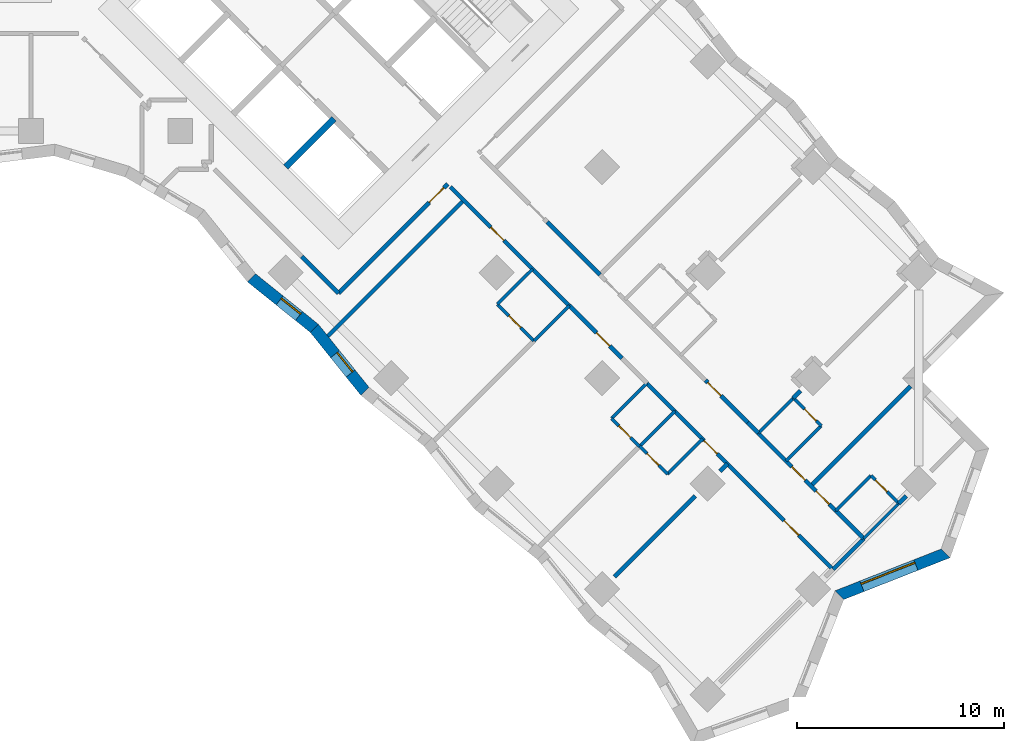
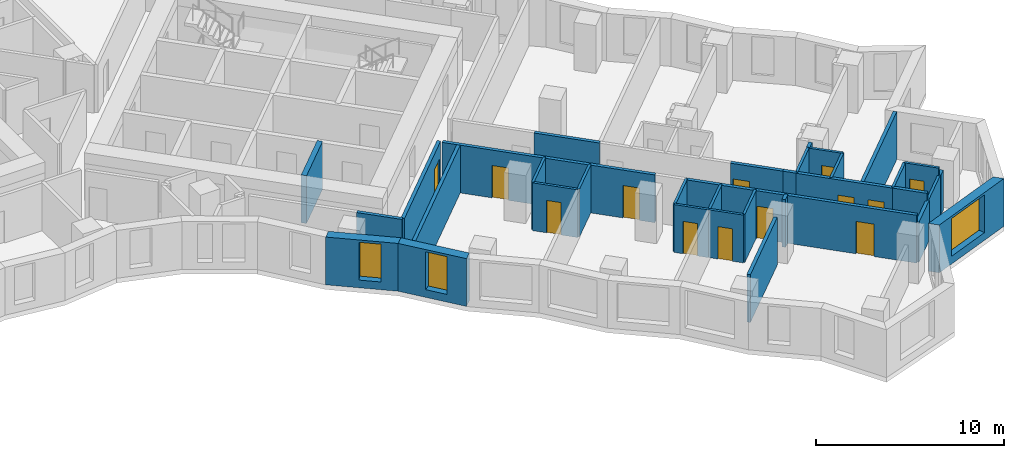
# One storey, part 8 of 13: 36 walls, 13 doors, 3 windows, 16 openings.
"""IFC4 building model written with IfcOpenShell, lengths in metres."""

import ifcopenshell
import ifcopenshell.guid

model = None  # the IFC model being written
_history = None  # IfcOwnerHistory: only IFC2X3 demands one
_inside = {}  # id of a spatial element -> (the spatial element, [elements in it])
_under = {}  # id of a project, library or spatial element -> (it, [spatial elements below it])
_declared = {}  # id of a project -> (the project, [libraries it declares])
_typed = {}  # id of a type object -> (the type object, [elements of that type])
_made_of = {}  # id of a material, layer set ... -> (it, [elements and type objects made of it])


def new_model(schema):
    """Start an empty IFC model of exactly this schema.

    Asked for "IFC4X3", IfcOpenShell would pick the latest addendum, in which some entities
    have other attributes; the version numbers below select the first issue.
    IFC2X3 requires an IfcOwnerHistory on every rooted entity: one is made here for all.
    """
    global model, _history
    if schema == "IFC4X3":
        model = ifcopenshell.file(schema_version=(4, 3, 0, 0))
    else:
        model = ifcopenshell.file(schema=schema)
    _inside.clear()
    _under.clear()
    _declared.clear()
    _typed.clear()
    _made_of.clear()
    _history = None
    if model.schema == "IFC2X3":
        org = make("IfcOrganization", Name="unknown")
        user = make(
            "IfcPersonAndOrganization",
            ThePerson=make("IfcPerson", FamilyName="unknown"),
            TheOrganization=org,
        )
        app = make(
            "IfcApplication",
            ApplicationDeveloper=org,
            Version="unknown",
            ApplicationFullName="unknown",
            ApplicationIdentifier="unknown",
        )
        _history = make(
            "IfcOwnerHistory",
            OwningUser=user,
            OwningApplication=app,
            ChangeAction="ADDED",
            CreationDate=0,
        )
    return model


def make(cls, **values):
    """One entity of the class cls with the attributes given. An attribute that is None is left unset."""
    return model.create_entity(
        cls, **{name: value for name, value in values.items() if value is not None}
    )


def rooted(cls, **values):
    """An entity with a GlobalId (a new one), such as an element, a storey or a relation."""
    return make(cls, GlobalId=ifcopenshell.guid.new(), OwnerHistory=_history, **values)


def si_unit(unit_type, name, prefix=None):
    """IfcSIUnit, for example si_unit("LENGTHUNIT", "METRE", prefix="MILLI")."""
    return make("IfcSIUnit", UnitType=unit_type, Prefix=prefix, Name=name)


def assignment(units):
    """IfcUnitAssignment: the units of a project."""
    return None if units is None else make("IfcUnitAssignment", Units=units)


def point(xyz):
    """IfcCartesianPoint."""
    return None if xyz is None else make("IfcCartesianPoint", Coordinates=xyz)


def direction(xyz):
    """IfcDirection."""
    return None if xyz is None else make("IfcDirection", DirectionRatios=xyz)


def frame(location, z_axis=None, x_axis=None):
    """IfcAxis2Placement3D, a coordinate frame: its origin and axes. An axis left out is left unset."""
    return make(
        "IfcAxis2Placement3D",
        Location=point(location),
        Axis=direction(z_axis),
        RefDirection=direction(x_axis),
    )


def frame_2d(location, x_axis=None):
    """IfcAxis2Placement2D, a coordinate frame in the plane: its origin and x axis."""
    return make(
        "IfcAxis2Placement2D", Location=point(location), RefDirection=direction(x_axis)
    )


def origin():
    """The frame at (0, 0, 0) with its axes left unset."""
    return frame((0.0, 0.0, 0.0))


def place(relative_to, where):
    """IfcLocalPlacement: puts the frame where relative to a parent placement (None: the world)."""
    return make(
        "IfcLocalPlacement", PlacementRelTo=relative_to, RelativePlacement=where
    )


def context(
    kind, dimensions, precision=None, world=None, true_north=None, identifier=None
):
    """IfcGeometricRepresentationContext, for example the 3D "Model" context."""
    return make(
        "IfcGeometricRepresentationContext",
        ContextIdentifier=identifier,
        ContextType=kind,
        CoordinateSpaceDimension=dimensions,
        Precision=precision,
        WorldCoordinateSystem=world,
        TrueNorth=true_north,
    )


def subcontext(parent, identifier, kind, view, scale=None):
    """IfcGeometricRepresentationSubContext, for example "Body" below "Model"."""
    return make(
        "IfcGeometricRepresentationSubContext",
        ContextIdentifier=identifier,
        ContextType=kind,
        ParentContext=parent,
        TargetScale=scale,
        TargetView=view,
    )


def project(units=None, contexts=None):
    """IfcProject with its units and contexts."""
    return rooted(
        "IfcProject",
        Name="project",
        RepresentationContexts=contexts,
        UnitsInContext=assignment(units),
    )


def spatial(cls, under=None, at=None, **own):
    """A site, building, storey or space (cls), placed at a placement, below another one or the project."""
    s = rooted(cls, ObjectPlacement=at, **own)
    if under is not None:
        _under.setdefault(under.id(), (under, []))[1].append(s)
    return s


def polyline(points):
    """IfcPolyline through the points."""
    return make("IfcPolyline", Points=[point(p) for p in points])


def profile(cls, at=None, kind="AREA", **sizes):
    """A parametric profile (cls). Its sizes go by their IFC names, for example OverallWidth=200.0."""
    return make(cls, ProfileType=kind, Position=at, **sizes)


def rectangle(**sizes):
    """IfcRectangleProfileDef."""
    return profile("IfcRectangleProfileDef", **sizes)


def outline(outer, holes=None, kind="AREA"):
    """IfcArbitraryClosedProfileDef: a profile drawn as a closed curve; with holes, ...WithVoids."""
    if holes is None:
        return make("IfcArbitraryClosedProfileDef", ProfileType=kind, OuterCurve=outer)
    return make(
        "IfcArbitraryProfileDefWithVoids",
        ProfileType=kind,
        OuterCurve=outer,
        InnerCurves=holes,
    )


def extrude(swept, where, along, depth):
    """IfcExtrudedAreaSolid: the profile swept, set in the frame where, extruded along a direction by depth."""
    return make(
        "IfcExtrudedAreaSolid",
        SweptArea=swept,
        Position=where,
        ExtrudedDirection=direction(along),
        Depth=depth,
    )


def shape(context_of_items, identifier, shape_type, items):
    """IfcShapeRepresentation: the items that make up one representation, for example the "Body"."""
    return make(
        "IfcShapeRepresentation",
        ContextOfItems=context_of_items,
        RepresentationIdentifier=identifier,
        RepresentationType=shape_type,
        Items=items,
    )


def material(Name=None, Category=None):
    """IfcMaterial."""
    return make("IfcMaterial", Name=Name, Category=Category)


def layer(
    of_material, thickness, ventilated=None, Name=None, Category=None, Priority=None
):
    """IfcMaterialLayer: one layer of a wall or slab, of a material (None: an air gap)."""
    return make(
        "IfcMaterialLayer",
        Material=of_material,
        LayerThickness=thickness,
        IsVentilated=ventilated,
        Name=Name,
        Category=Category,
        Priority=Priority,
    )


def layer_set(layers, Name=None):
    """IfcMaterialLayerSet."""
    return make("IfcMaterialLayerSet", MaterialLayers=layers, LayerSetName=Name)


def made_of(thing, what):
    """Note that an element or type object is made of a material, layer set ...; save() writes the relation."""
    if what is not None:
        _made_of.setdefault(what.id(), (what, []))[1].append(thing)
    return thing


def type_object(cls, material=None, **own):
    """A type object (cls), such as IfcWallType, which elements share."""
    return made_of(rooted(cls, **own), material)


def element(
    cls,
    number,
    at=None,
    inside=None,
    cuts=None,
    type_object=None,
    material=None,
    context=None,
    identifier="Body",
    shape_type=None,
    held_by="IfcProductDefinitionShape",
    body=None,
    shapes=None,
    **own,
):
    """One element of the class cls, such as IfcWall. Its Tag is "e" and its number.

    at: its placement. inside: the storey or other place that contains it. cuts: it is an
    opening in that element (IfcRelVoidsElement). A single representation is given by context,
    identifier, shape_type and body (its items); several are given by shapes. held_by: the class
    of the entity that holds the representations. save() writes the other relations.
    """
    e = rooted(cls, Tag="e%d" % number, ObjectPlacement=at, **own)
    if body is not None:
        shapes = [shape(context, identifier, shape_type, body)]
    if shapes is not None:
        e.Representation = make(held_by, Representations=shapes)
    if inside is not None:
        _inside.setdefault(inside.id(), (inside, []))[1].append(e)
    if cuts is not None:
        rooted(
            "IfcRelVoidsElement", RelatingBuildingElement=cuts, RelatedOpeningElement=e
        )
    if type_object is not None:
        _typed.setdefault(type_object.id(), (type_object, []))[1].append(e)
    return made_of(e, material)


def fill(opening, filler):
    """IfcRelFillsElement: the door or window that sits in an opening."""
    return rooted(
        "IfcRelFillsElement",
        RelatingOpeningElement=opening,
        RelatedBuildingElement=filler,
    )


def aggregate(whole, parts):
    """IfcRelAggregates: a whole, such as a stair, and the parts it consists of."""
    return rooted("IfcRelAggregates", RelatingObject=whole, RelatedObjects=parts)


def save(model, path):
    """Write the relations noted so far, then the file.

    IfcRelAggregates (storeys below a building ...), IfcRelContainedInSpatialStructure (elements
    in a storey), IfcRelDefinesByType, IfcRelAssociatesMaterial and IfcRelDeclares: one each for
    every whole, place, type object, material and project.
    """
    for whole, parts in _under.values():
        aggregate(whole, parts)
    for where, things in _inside.values():
        rooted(
            "IfcRelContainedInSpatialStructure",
            RelatedElements=things,
            RelatingStructure=where,
        )
    for kind, things in _typed.values():
        rooted("IfcRelDefinesByType", RelatedObjects=things, RelatingType=kind)
    for what, things in _made_of.values():
        rooted("IfcRelAssociatesMaterial", RelatedObjects=things, RelatingMaterial=what)
    for by, libraries in _declared.values():
        rooted("IfcRelDeclares", RelatingContext=by, RelatedDefinitions=libraries)
    model.write(path)


model = new_model("IFC4")

# Units and contexts
model_context = context("Model", 3, precision=1e-05, world=origin(), true_north=direction((0.0, 1.0)))
body_context = subcontext(model_context, "Body", "Model", "MODEL_VIEW")
ifc_project = project(units=[si_unit("LENGTHUNIT", "METRE"), si_unit("AREAUNIT", "SQUARE_METRE"), si_unit("VOLUMEUNIT", "CUBIC_METRE"), si_unit("PLANEANGLEUNIT", "RADIAN"), si_unit("MASSUNIT", "GRAM", prefix="KILO")], contexts=[model_context])

# Site, building, storey
site_placement = place(None, origin())
site = spatial("IfcSite", under=ifc_project, at=site_placement, CompositionType="ELEMENT")
building_placement = place(site_placement, origin())
building = spatial("IfcBuilding", under=site, at=building_placement, Name="Windrow Commons", CompositionType="ELEMENT")
storey_placement = place(building_placement, frame((0.0, 0.0, 40.6)))
storey = spatial("IfcBuildingStorey", under=building, at=storey_placement, Name="L10", CompositionType="ELEMENT", Elevation=40.6)

# Wall, opening, window
ifc_material_1 = material(Name="Brick masonry, red clay brick", Category="masonry")
ifc_layer_1 = layer(ifc_material_1, 0.55)
ifc_layer_set_1 = layer_set([ifc_layer_1], Name="Brick facade wall 550")
wall_type_1 = type_object("IfcWallType", Name="Brick facade wall 550", PredefinedType="SOLIDWALL", material=ifc_layer_set_1)
wall_1_placement = place(storey_placement, frame((111.0124, 20.798, 0.0), z_axis=(0.0, 0.0, 1.0), x_axis=(0.9305394819, 0.3661915791, 0.0)))
wall_1 = element("IfcWall", 1, at=wall_1_placement, inside=storey, type_object=wall_type_1, Name="Brick facade wall L10 3", PredefinedType="SOLIDWALL", context=body_context, shape_type="SweptSolid", body=[
    extrude(outline(polyline([(0.1197, -0.275), (5.6329, -0.275), (5.3827, 0.275), (-0.1197, 0.275), (0.1197, -0.275)])), origin(), (0.0, 0.0, 1.0), 3.1),
])
opening_1_placement = place(wall_1_placement, frame((1.1658, 0.0, 0.5)))
opening_1 = element("IfcOpeningElement", 2, at=opening_1_placement, cuts=wall_1, Name="Opening W1T", PredefinedType="OPENING", context=body_context, shape_type="SweptSolid", body=[
    extrude(rectangle(XDim=2.8, YDim=2.45, at=frame_2d((1.4, 1.225))), frame((0.0, 0.285, 0.0), z_axis=(0.0, -1.0, 0.0), x_axis=(1.0, 0.0, 0.0)), (0.0, 0.0, 1.0), 0.57),
])
ifc_material_2 = material(Name="Clear float glass in anodised aluminium frame", Category="aluminium")
window_type_1 = type_object("IfcWindowType", Name="Window W1T bedroom 2800x2450", PartitioningType="SINGLE_PANEL", PredefinedType="WINDOW", material=ifc_material_2)
window_1_placement = place(opening_1_placement, origin())
window_1 = element("IfcWindow", 3, at=window_1_placement, inside=storey, type_object=window_type_1, Name="Window L10 3.1", OverallHeight=2.45, OverallWidth=2.8, PartitioningType="SINGLE_PANEL", PredefinedType="WINDOW", context=body_context, shape_type="SweptSolid", body=[
    extrude(rectangle(XDim=2.8, YDim=2.45, at=frame_2d((1.4, 1.225))), frame((0.0, 0.155, 0.0), z_axis=(0.0, -1.0, 0.0), x_axis=(1.0, 0.0, 0.0)), (0.0, 0.0, 1.0), 0.06),
])
fill(opening_1, window_1)

wall_2_placement = place(storey_placement, frame((82.633, 36.1187, 0.0), z_axis=(0.0, 0.0, 1.0), x_axis=(0.7793447186, -0.6265954114, 0.0)))
wall_2 = element("IfcWall", 4, at=wall_2_placement, inside=storey, type_object=wall_type_1, Name="Brick facade wall L10 56", PredefinedType="SOLIDWALL", context=body_context, shape_type="SweptSolid", body=[
    extrude(outline(polyline([(-0.0299, -0.275), (3.868, -0.275), (3.9277, 0.275), (0.0299, 0.275), (-0.0299, -0.275)])), origin(), (0.0, 0.0, 1.0), 3.1),
])
opening_2_placement = place(wall_2_placement, frame((1.7522, 0.0, 0.5)))
opening_2 = element("IfcOpeningElement", 5, at=opening_2_placement, cuts=wall_2, Name="Opening W7D", PredefinedType="OPENING", context=body_context, shape_type="SweptSolid", body=[
    extrude(rectangle(XDim=1.2, YDim=2.45, at=frame_2d((0.6, 1.225))), frame((0.0, 0.285, 0.0), z_axis=(0.0, -1.0, 0.0), x_axis=(1.0, 0.0, 0.0)), (0.0, 0.0, 1.0), 0.57),
])
ifc_material_3 = material(Name="Clear float glass in anodised aluminium frame", Category="aluminium")
window_type_2 = type_object("IfcWindowType", Name="Window W7 notch 1200x2450", PartitioningType="SINGLE_PANEL", PredefinedType="WINDOW", material=ifc_material_3)
window_2_placement = place(opening_2_placement, origin())
window_2 = element("IfcWindow", 6, at=window_2_placement, inside=storey, type_object=window_type_2, Name="Window L10 56.1", OverallHeight=2.45, OverallWidth=1.2, PartitioningType="SINGLE_PANEL", PredefinedType="WINDOW", context=body_context, shape_type="SweptSolid", body=[
    extrude(rectangle(XDim=1.2, YDim=2.45, at=frame_2d((0.6, 1.225))), frame((0.0, 0.155, 0.0), z_axis=(0.0, -1.0, 0.0), x_axis=(1.0, 0.0, 0.0)), (0.0, 0.0, 1.0), 0.06),
])
fill(opening_2, window_2)

wall_3_placement = place(storey_placement, frame((85.6708, 33.6763, 0.0), z_axis=(0.0, 0.0, 1.0), x_axis=(0.6265954114, -0.7793447186, 0.0)))
wall_3 = element("IfcWall", 7, at=wall_3_placement, inside=storey, type_object=wall_type_1, Name="Brick facade wall L10 57", PredefinedType="SOLIDWALL", context=body_context, shape_type="SweptSolid", body=[
    extrude(outline(polyline([(0.0299, -0.275), (3.9277, -0.275), (3.868, 0.275), (-0.0299, 0.275), (0.0299, -0.275)])), origin(), (0.0, 0.0, 1.0), 3.1),
])
opening_3_placement = place(wall_3_placement, frame((1.5989, 0.0, 0.5)))
opening_3 = element("IfcOpeningElement", 8, at=opening_3_placement, cuts=wall_3, Name="Opening W7D", PredefinedType="OPENING", context=body_context, shape_type="SweptSolid", body=[
    extrude(rectangle(XDim=1.2, YDim=2.45, at=frame_2d((0.6, 1.225))), frame((0.0, 0.285, 0.0), z_axis=(0.0, -1.0, 0.0), x_axis=(1.0, 0.0, 0.0)), (0.0, 0.0, 1.0), 0.57),
])
window_3_placement = place(opening_3_placement, origin())
window_3 = element("IfcWindow", 9, at=window_3_placement, inside=storey, type_object=window_type_2, Name="Window L10 57.1", OverallHeight=2.45, OverallWidth=1.2, PartitioningType="SINGLE_PANEL", PredefinedType="WINDOW", context=body_context, shape_type="SweptSolid", body=[
    extrude(rectangle(XDim=1.2, YDim=2.45, at=frame_2d((0.6, 1.225))), frame((0.0, 0.155, 0.0), z_axis=(0.0, -1.0, 0.0), x_axis=(1.0, 0.0, 0.0)), (0.0, 0.0, 1.0), 0.06),
])
fill(opening_3, window_3)

# Wall, openings, doors
ifc_material_4 = material(Name="Blockwork partition", Category="masonry")
ifc_layer_2 = layer(ifc_material_4, 0.2)
ifc_layer_set_2 = layer_set([ifc_layer_2], Name="IW-CORRIDOR-200")
wall_type_2 = type_object("IfcWallType", Name="IW-CORRIDOR-200", PredefinedType="PARTITIONING", material=ifc_layer_set_2)
wall_4_placement = place(storey_placement, frame((103.061, 29.677, 0.0), z_axis=(0.0, 0.0, 1.0), x_axis=(0.7071067812, -0.7071067812, 0.0)))
wall_4 = element("IfcWall", 10, at=wall_4_placement, inside=storey, type_object=wall_type_2, Name="W-L10-W009", PredefinedType="PARTITIONING", context=body_context, shape_type="SweptSolid", body=[
    extrude(rectangle(XDim=10.8018, YDim=0.2, at=frame_2d((5.4009, 0.0))), origin(), (0.0, 0.0, 1.0), 3.1),
])
opening_4_placement = place(wall_4_placement, frame((2.012, 0.0, 0.0)))
opening_4 = element("IfcOpeningElement", 11, at=opening_4_placement, cuts=wall_4, Name="Opening D109S", PredefinedType="OPENING", context=body_context, shape_type="SweptSolid", body=[
    extrude(rectangle(XDim=0.9, YDim=2.1, at=frame_2d((0.45, 1.05))), frame((0.0, 0.11, 0.0), z_axis=(0.0, -1.0, 0.0), x_axis=(1.0, 0.0, 0.0)), (0.0, 0.0, 1.0), 0.22),
])
opening_5_placement = place(wall_4_placement, frame((7.4633, 0.0, 0.0)))
opening_5 = element("IfcOpeningElement", 12, at=opening_5_placement, cuts=wall_4, Name="Opening D310F", PredefinedType="OPENING", context=body_context, shape_type="SweptSolid", body=[
    extrude(rectangle(XDim=1.0, YDim=2.1, at=frame_2d((0.5, 1.05))), frame((0.0, 0.11, 0.0), z_axis=(0.0, -1.0, 0.0), x_axis=(1.0, 0.0, 0.0)), (0.0, 0.0, 1.0), 0.22),
])
ifc_material_5 = material(Name="Timber door leaf", Category="wood")
door_type_1 = type_object("IfcDoorType", Name="DT-AMENITY-1000", OperationType="SINGLE_SWING_LEFT", PredefinedType="DOOR", material=ifc_material_5)
door_1_placement = place(opening_5_placement, origin())
door_1 = element("IfcDoor", 13, at=door_1_placement, inside=storey, type_object=door_type_1, Name="D-L10-D057", OperationType="SINGLE_SWING_RIGHT", OverallHeight=2.1, OverallWidth=1.0, PredefinedType="DOOR", context=body_context, shape_type="SweptSolid", body=[
    extrude(rectangle(XDim=1.0, YDim=2.1, at=frame_2d((0.5, 1.05))), frame((0.0, 0.025, 0.0), z_axis=(0.0, -1.0, 0.0), x_axis=(1.0, 0.0, 0.0)), (0.0, 0.0, 1.0), 0.05),
])
fill(opening_5, door_1)
ifc_material_6 = material(Name="Timber door leaf", Category="wood")
door_type_2 = type_object("IfcDoorType", Name="DT-BEDROOM-900", OperationType="SINGLE_SWING_LEFT", PredefinedType="DOOR", material=ifc_material_6)
door_2_placement = place(opening_4_placement, origin())
door_2 = element("IfcDoor", 14, at=door_2_placement, inside=storey, type_object=door_type_2, Name="D-L10-D055", OperationType="SINGLE_SWING_LEFT", OverallHeight=2.1, OverallWidth=0.9, PredefinedType="DOOR", context=body_context, shape_type="SweptSolid", body=[
    extrude(rectangle(XDim=0.9, YDim=2.1, at=frame_2d((0.45, 1.05))), frame((0.0, 0.025, 0.0), z_axis=(0.0, -1.0, 0.0), x_axis=(1.0, 0.0, 0.0)), (0.0, 0.0, 1.0), 0.05),
])
fill(opening_4, door_2)

# Wall, opening, door
wall_5_placement = place(storey_placement, frame((92.243, 40.495, 0.0), z_axis=(0.0, 0.0, 1.0), x_axis=(0.7071067812, -0.7071067812, 0.0)))
wall_5 = element("IfcWall", 15, at=wall_5_placement, inside=storey, type_object=wall_type_2, Name="W-L10-W015", PredefinedType="PARTITIONING", context=body_context, shape_type="SweptSolid", body=[
    extrude(rectangle(XDim=8.1006, YDim=0.2, at=frame_2d((4.0503, 0.0))), origin(), (0.0, 0.0, 1.0), 3.1),
])
opening_6_placement = place(wall_5_placement, frame((2.7498, 0.0, 0.0)))
opening_6 = element("IfcOpeningElement", 16, at=opening_6_placement, cuts=wall_5, Name="Opening D109F", PredefinedType="OPENING", context=body_context, shape_type="SweptSolid", body=[
    extrude(rectangle(XDim=0.9, YDim=2.1, at=frame_2d((0.45, 1.05))), frame((0.0, 0.11, 0.0), z_axis=(0.0, -1.0, 0.0), x_axis=(1.0, 0.0, 0.0)), (0.0, 0.0, 1.0), 0.22),
])
door_3_placement = place(opening_6_placement, origin())
door_3 = element("IfcDoor", 17, at=door_3_placement, inside=storey, type_object=door_type_2, Name="D-L10-D051", OperationType="SINGLE_SWING_LEFT", OverallHeight=2.1, OverallWidth=0.9, PredefinedType="DOOR", context=body_context, shape_type="SweptSolid", body=[
    extrude(rectangle(XDim=0.9, YDim=2.1, at=frame_2d((0.45, 1.05))), frame((0.0, 0.025, 0.0), z_axis=(0.0, -1.0, 0.0), x_axis=(1.0, 0.0, 0.0)), (0.0, 0.0, 1.0), 0.05),
])
fill(opening_6, door_3)

wall_6_placement = place(storey_placement, frame((86.8356, 35.3724, 0.0), z_axis=(0.0, 0.0, 1.0), x_axis=(0.7071067812, 0.7071067812, 0.0)))
wall_6 = element("IfcWall", 18, at=wall_6_placement, inside=storey, type_object=wall_type_2, Name="W-L10-W016", PredefinedType="PARTITIONING", context=body_context, shape_type="SweptSolid", body=[
    extrude(rectangle(XDim=7.4501, YDim=0.2, at=frame_2d((3.725, 0.0))), origin(), (0.0, 0.0, 1.0), 3.1),
])
opening_7_placement = place(wall_6_placement, frame((6.1921, 0.0, 0.0)))
opening_7 = element("IfcOpeningElement", 19, at=opening_7_placement, cuts=wall_6, Name="Opening D310F", PredefinedType="OPENING", context=body_context, shape_type="SweptSolid", body=[
    extrude(rectangle(XDim=1.0, YDim=2.1, at=frame_2d((0.5, 1.05))), frame((0.0, 0.11, 0.0), z_axis=(0.0, -1.0, 0.0), x_axis=(1.0, 0.0, 0.0)), (0.0, 0.0, 1.0), 0.22),
])
door_4_placement = place(opening_7_placement, origin())
door_4 = element("IfcDoor", 20, at=door_4_placement, inside=storey, type_object=door_type_1, Name="D-L10-D050", OperationType="SINGLE_SWING_RIGHT", OverallHeight=2.1, OverallWidth=1.0, PredefinedType="DOOR", context=body_context, shape_type="SweptSolid", body=[
    extrude(rectangle(XDim=1.0, YDim=2.1, at=frame_2d((0.5, 1.05))), frame((0.0, 0.025, 0.0), z_axis=(0.0, -1.0, 0.0), x_axis=(1.0, 0.0, 0.0)), (0.0, 0.0, 1.0), 0.05),
])
fill(opening_7, door_4)

# Wall, openings, doors
wall_7_placement = place(storey_placement, frame((107.093, 28.615, 0.0), z_axis=(0.0, 0.0, 1.0), x_axis=(0.7072011313, -0.7070124185, 0.0)))
wall_7 = element("IfcWall", 21, at=wall_7_placement, inside=storey, type_object=wall_type_2, Name="W-L10-W038", PredefinedType="PARTITIONING", context=body_context, shape_type="SweptSolid", body=[
    extrude(rectangle(XDim=5.2991, YDim=0.2, at=frame_2d((2.6496, 0.0))), origin(), (0.0, 0.0, 1.0), 3.1),
])
opening_8_placement = place(wall_7_placement, frame((2.2988, 0.0, 0.0)))
opening_8 = element("IfcOpeningElement", 22, at=opening_8_placement, cuts=wall_7, Name="Opening D109S", PredefinedType="OPENING", context=body_context, shape_type="SweptSolid", body=[
    extrude(rectangle(XDim=0.9, YDim=2.1, at=frame_2d((0.45, 1.05))), frame((0.0, 0.11, 0.0), z_axis=(0.0, -1.0, 0.0), x_axis=(1.0, 0.0, 0.0)), (0.0, 0.0, 1.0), 0.22),
])
opening_9_placement = place(wall_7_placement, frame((3.9488, 0.0, 0.0)))
opening_9 = element("IfcOpeningElement", 23, at=opening_9_placement, cuts=wall_7, Name="Opening D109S", PredefinedType="OPENING", context=body_context, shape_type="SweptSolid", body=[
    extrude(rectangle(XDim=0.9, YDim=2.1, at=frame_2d((0.45, 1.05))), frame((0.0, 0.11, 0.0), z_axis=(0.0, -1.0, 0.0), x_axis=(1.0, 0.0, 0.0)), (0.0, 0.0, 1.0), 0.22),
])
door_5_placement = place(opening_8_placement, origin())
door_5 = element("IfcDoor", 24, at=door_5_placement, inside=storey, type_object=door_type_2, Name="D-L10-D045", OperationType="SINGLE_SWING_LEFT", OverallHeight=2.1, OverallWidth=0.9, PredefinedType="DOOR", context=body_context, shape_type="SweptSolid", body=[
    extrude(rectangle(XDim=0.9, YDim=2.1, at=frame_2d((0.45, 1.05))), frame((0.0, 0.025, 0.0), z_axis=(0.0, -1.0, 0.0), x_axis=(1.0, 0.0, 0.0)), (0.0, 0.0, 1.0), 0.05),
])
fill(opening_8, door_5)
door_6_placement = place(opening_9_placement, origin())
door_6 = element("IfcDoor", 25, at=door_6_placement, inside=storey, type_object=door_type_2, Name="D-L10-D058", OperationType="SINGLE_SWING_RIGHT", OverallHeight=2.1, OverallWidth=0.9, PredefinedType="DOOR", context=body_context, shape_type="SweptSolid", body=[
    extrude(rectangle(XDim=0.9, YDim=2.1, at=frame_2d((0.45, 1.05))), frame((0.0, 0.025, 0.0), z_axis=(0.0, -1.0, 0.0), x_axis=(1.0, 0.0, 0.0)), (0.0, 0.0, 1.0), 0.05),
])
fill(opening_9, door_6)

# Wall
wall_8_placement = place(storey_placement, frame((96.9127, 38.8007, 0.0), z_axis=(0.0, 0.0, 1.0), x_axis=(0.7068288851, -0.7073845681, 0.0)))
element("IfcWall", 26, at=wall_8_placement, inside=storey, type_object=wall_type_2, Name="W-L10-W056", PredefinedType="PARTITIONING", context=body_context, shape_type="SweptSolid", body=[
    extrude(rectangle(XDim=3.5992, YDim=0.2, at=frame_2d((1.7996, 0.0))), origin(), (0.0, 0.0, 1.0), 3.1),
])

# Wall, opening, door
wall_9_placement = place(storey_placement, frame((97.9764, 34.7724, 0.0), z_axis=(0.0, 0.0, 1.0), x_axis=(0.7073845681, -0.7068288851, 0.0)))
wall_9 = element("IfcWall", 27, at=wall_9_placement, inside=storey, type_object=wall_type_2, Name="W-L10-W057", PredefinedType="PARTITIONING", context=body_context, shape_type="SweptSolid", body=[
    extrude(rectangle(XDim=3.5992, YDim=0.2, at=frame_2d((1.7996, 0.0))), origin(), (0.0, 0.0, 1.0), 3.1),
])
opening_10_placement = place(wall_9_placement, frame((1.8576, 0.0, 0.0)))
opening_10 = element("IfcOpeningElement", 28, at=opening_10_placement, cuts=wall_9, Name="Opening D109F", PredefinedType="OPENING", context=body_context, shape_type="SweptSolid", body=[
    extrude(rectangle(XDim=0.9, YDim=2.1, at=frame_2d((0.45, 1.05))), frame((0.0, 0.11, 0.0), z_axis=(0.0, -1.0, 0.0), x_axis=(1.0, 0.0, 0.0)), (0.0, 0.0, 1.0), 0.22),
])
door_7_placement = place(opening_10_placement, origin())
door_7 = element("IfcDoor", 29, at=door_7_placement, inside=storey, type_object=door_type_2, Name="D-L10-D053", OperationType="SINGLE_SWING_LEFT", OverallHeight=2.1, OverallWidth=0.9, PredefinedType="DOOR", context=body_context, shape_type="SweptSolid", body=[
    extrude(rectangle(XDim=0.9, YDim=2.1, at=frame_2d((0.45, 1.05))), frame((0.0, 0.025, 0.0), z_axis=(0.0, -1.0, 0.0), x_axis=(1.0, 0.0, 0.0)), (0.0, 0.0, 1.0), 0.05),
])
fill(opening_10, door_7)

wall_10_placement = place(storey_placement, frame((104.5509, 31.1649, 0.0), z_axis=(0.0, 0.0, 1.0), x_axis=(0.7074545101, -0.7067588812, 0.0)))
wall_10 = element("IfcWall", 30, at=wall_10_placement, inside=storey, type_object=wall_type_2, Name="W-L10-W064", PredefinedType="PARTITIONING", context=body_context, shape_type="SweptSolid", body=[
    extrude(rectangle(XDim=2.8751, YDim=0.2, at=frame_2d((1.4376, 0.0))), origin(), (0.0, 0.0, 1.0), 3.1),
])
opening_11_placement = place(wall_10_placement, frame((0.1483, 0.0, 0.0)))
opening_11 = element("IfcOpeningElement", 31, at=opening_11_placement, cuts=wall_10, Name="Opening D109F", PredefinedType="OPENING", context=body_context, shape_type="SweptSolid", body=[
    extrude(rectangle(XDim=0.9, YDim=2.1, at=frame_2d((0.45, 1.05))), frame((0.0, 0.11, 0.0), z_axis=(0.0, -1.0, 0.0), x_axis=(1.0, 0.0, 0.0)), (0.0, 0.0, 1.0), 0.22),
])
door_8_placement = place(opening_11_placement, origin())
door_8 = element("IfcDoor", 32, at=door_8_placement, inside=storey, type_object=door_type_2, Name="D-L10-D043", OperationType="SINGLE_SWING_LEFT", OverallHeight=2.1, OverallWidth=0.9, PredefinedType="DOOR", context=body_context, shape_type="SweptSolid", body=[
    extrude(rectangle(XDim=0.9, YDim=2.1, at=frame_2d((0.45, 1.05))), frame((0.0, 0.025, 0.0), z_axis=(0.0, -1.0, 0.0), x_axis=(1.0, 0.0, 0.0)), (0.0, 0.0, 1.0), 0.05),
])
fill(opening_11, door_8)

# Walls
wall_11_placement = place(storey_placement, frame((85.0651, 37.1371, 0.0), z_axis=(0.0, 0.0, 1.0), x_axis=(0.7071067812, -0.7071067812, 0.0)))
element("IfcWall", 33, at=wall_11_placement, inside=storey, type_object=wall_type_2, Name="W-L10-W069", PredefinedType="PARTITIONING", context=body_context, shape_type="SweptSolid", body=[
    extrude(rectangle(XDim=2.5003, YDim=0.2, at=frame_2d((1.2502, 0.0))), origin(), (0.0, 0.0, 1.0), 3.1),
])
wall_12_placement = place(storey_placement, frame((110.7053, 22.0387, 0.0), z_axis=(0.0, 0.0, 1.0), x_axis=(0.7066304548, 0.7075827869, 0.0)))
element("IfcWall", 34, at=wall_12_placement, inside=storey, type_object=wall_type_2, Name="W-L10-W115", PredefinedType="PARTITIONING", context=body_context, shape_type="SweptSolid", body=[
    extrude(rectangle(XDim=2.1001, YDim=0.2, at=frame_2d((1.05, 0.0))), origin(), (0.0, 0.0, 1.0), 2.6),
])
for number, where, z_axis, x_axis, name in (
    (35, (110.8433, 24.8713, 0.0), (0.0, 0.0, 1.0), (0.7065800724, -0.7076330979, 0.0), "W-L10-W138"),
    (36, (101.72, 31.022, 0.0), (0.0, 0.0, 1.0), (0.7065800724, -0.7076330979, 0.0), "W-L10-W141"),
):
    element("IfcWall", number, at=place(storey_placement, frame(where, z_axis=z_axis, x_axis=x_axis)), inside=storey, type_object=wall_type_2, Name=name, PredefinedType="PARTITIONING", context=body_context, shape_type="SweptSolid", body=[
        extrude(rectangle(XDim=1.8993, YDim=0.2, at=frame_2d((0.9496, 0.0))), origin(), (0.0, 0.0, 1.0), 3.1),
    ])
wall_13_placement = place(storey_placement, frame((106.587, 29.135, 0.0), z_axis=(0.0, 0.0, 1.0), x_axis=(0.7071067812, -0.7071067812, 0.0)))
element("IfcWall", 37, at=wall_13_placement, inside=storey, type_object=wall_type_2, Name="W-L10-W165", PredefinedType="PARTITIONING", context=body_context, shape_type="SweptSolid", body=[
    extrude(rectangle(XDim=0.7241, YDim=0.2, at=frame_2d((0.362, 0.0))), origin(), (0.0, 0.0, 1.0), 3.1),
])

# Wall, opening, door
ifc_material_7 = material(Name="Blockwork partition", Category="masonry")
ifc_layer_3 = layer(ifc_material_7, 0.15)
ifc_layer_set_3 = layer_set([ifc_layer_3], Name="IW-ENSUITE-150")
wall_type_3 = type_object("IfcWallType", Name="IW-ENSUITE-150", PredefinedType="PARTITIONING", material=ifc_layer_set_3)
wall_14_placement = place(storey_placement, frame((94.505, 34.839, 0.0), z_axis=(0.0, 0.0, 1.0), x_axis=(0.7071067812, -0.7071067812, 0.0)))
wall_14 = element("IfcWall", 38, at=wall_14_placement, inside=storey, type_object=wall_type_3, Name="W-L10-W070", PredefinedType="PARTITIONING", context=body_context, shape_type="SweptSolid", body=[
    extrude(rectangle(XDim=2.5003, YDim=0.15, at=frame_2d((1.2502, 0.0))), origin(), (0.0, 0.0, 1.0), 3.1),
])
opening_12_placement = place(wall_14_placement, frame((0.7918, 0.0, 0.0)))
opening_12 = element("IfcOpeningElement", 39, at=opening_12_placement, cuts=wall_14, Name="Opening D208N", PredefinedType="OPENING", context=body_context, shape_type="SweptSolid", body=[
    extrude(rectangle(XDim=0.8, YDim=2.1, at=frame_2d((0.4, 1.05))), frame((0.0, 0.085, 0.0), z_axis=(0.0, -1.0, 0.0), x_axis=(1.0, 0.0, 0.0)), (0.0, 0.0, 1.0), 0.17),
])
ifc_material_8 = material(Name="Timber door leaf", Category="wood")
door_type_3 = type_object("IfcDoorType", Name="DT-ENSUITE-800", OperationType="SINGLE_SWING_LEFT", PredefinedType="DOOR", material=ifc_material_8)
door_9_placement = place(opening_12_placement, origin())
door_9 = element("IfcDoor", 40, at=door_9_placement, inside=storey, type_object=door_type_3, Name="D-L10-D052", OperationType="SINGLE_SWING_RIGHT", OverallHeight=2.1, OverallWidth=0.8, PredefinedType="DOOR", context=body_context, shape_type="SweptSolid", body=[
    extrude(rectangle(XDim=0.8, YDim=2.1, at=frame_2d((0.4, 1.05))), frame((0.0, 0.025, 0.0), z_axis=(0.0, -1.0, 0.0), x_axis=(1.0, 0.0, 0.0)), (0.0, 0.0, 1.0), 0.05),
])
fill(opening_12, door_9)

# Walls
wall_15_placement = place(storey_placement, frame((100.0233, 29.3267, 0.0), z_axis=(0.0, 0.0, 1.0), x_axis=(0.7071067812, 0.7071067812, 0.0)))
element("IfcWall", 41, at=wall_15_placement, inside=storey, type_object=wall_type_3, Name="W-L10-W075", PredefinedType="PARTITIONING", context=body_context, shape_type="SweptSolid", body=[
    extrude(rectangle(XDim=2.4013, YDim=0.15, at=frame_2d((1.2006, 0.0))), origin(), (0.0, 0.0, 1.0), 3.1),
])
for number, where, z_axis, x_axis, name in (
    (42, (96.2784, 33.0716, 0.0), (0.0, 0.0, 1.0), (0.7075233388, 0.706689978, 0.0), "W-L10-W102"),
    (43, (94.5106, 34.8394, 0.0), (0.0, 0.0, 1.0), (0.7075233388, 0.706689978, 0.0), "W-L10-W103"),
    (44, (101.3711, 27.9789, 0.0), (0.0, 0.0, 1.0), (0.706689978, 0.7075233388, 0.0), "W-L10-W105"),
    (45, (108.4354, 27.2786, 0.0), (0.0, 0.0, 1.0), (0.7075233388, 0.706689978, 0.0), "W-L10-W106"),
):
    element("IfcWall", number, at=place(storey_placement, frame(where, z_axis=z_axis, x_axis=x_axis)), inside=storey, type_object=wall_type_3, Name=name, PredefinedType="PARTITIONING", context=body_context, shape_type="SweptSolid", body=[
        extrude(rectangle(XDim=2.3999, YDim=0.15, at=frame_2d((1.2, 0.0))), origin(), (0.0, 0.0, 1.0), 3.1),
    ])
wall_16_placement = place(storey_placement, frame((112.1831, 23.5309, 0.0), z_axis=(0.0, 0.0, 1.0), x_axis=(0.7075233388, 0.706689978, 0.0)))
element("IfcWall", 46, at=wall_16_placement, inside=storey, type_object=wall_type_3, Name="W-L10-W108", PredefinedType="PARTITIONING", context=body_context, shape_type="SweptSolid", body=[
    extrude(rectangle(XDim=2.3999, YDim=0.15, at=frame_2d((1.2, 0.0))), origin(), (0.0, 0.0, 1.0), 2.6),
])
for number, where, z_axis, x_axis, name in (
    (47, (102.7113, 26.6407, 0.0), (0.0, 0.0, 1.0), (0.7071067812, 0.7071067812, 0.0), "W-L10-W109"),
    (48, (107.0954, 28.6206, 0.0), (0.0, 0.0, 1.0), (0.7071067812, 0.7071067812, 0.0), "W-L10-W110"),
    (49, (110.843, 24.873, 0.0), (0.0, 0.0, 1.0), (0.7071067812, 0.7071067812, 0.0), "W-L10-W111"),
):
    element("IfcWall", number, at=place(storey_placement, frame(where, z_axis=z_axis, x_axis=x_axis)), inside=storey, type_object=wall_type_3, Name=name, PredefinedType="PARTITIONING", context=body_context, shape_type="SweptSolid", body=[
        extrude(rectangle(XDim=2.3985, YDim=0.15, at=frame_2d((1.1992, 0.0))), origin(), (0.0, 0.0, 1.0), 3.1),
    ])

# Wall, opening, door
wall_17_placement = place(storey_placement, frame((100.021, 29.323, 0.0), z_axis=(0.0, 0.0, 1.0), x_axis=(0.7071067812, -0.7071067812, 0.0)))
wall_17 = element("IfcWall", 50, at=wall_17_placement, inside=storey, type_object=wall_type_3, Name="W-L10-W123", PredefinedType="PARTITIONING", context=body_context, shape_type="SweptSolid", body=[
    extrude(rectangle(XDim=1.9007, YDim=0.15, at=frame_2d((0.9504, 0.0))), origin(), (0.0, 0.0, 1.0), 3.1),
])
opening_13_placement = place(wall_17_placement, frame((0.4914, 0.0, 0.0)))
opening_13 = element("IfcOpeningElement", 51, at=opening_13_placement, cuts=wall_17, Name="Opening D208N", PredefinedType="OPENING", context=body_context, shape_type="SweptSolid", body=[
    extrude(rectangle(XDim=0.8, YDim=2.1, at=frame_2d((0.4, 1.05))), frame((0.0, 0.085, 0.0), z_axis=(0.0, -1.0, 0.0), x_axis=(1.0, 0.0, 0.0)), (0.0, 0.0, 1.0), 0.17),
])
door_10_placement = place(opening_13_placement, origin())
door_10 = element("IfcDoor", 52, at=door_10_placement, inside=storey, type_object=door_type_3, Name="D-L10-D054", OperationType="SINGLE_SWING_RIGHT", OverallHeight=2.1, OverallWidth=0.8, PredefinedType="DOOR", context=body_context, shape_type="SweptSolid", body=[
    extrude(rectangle(XDim=0.8, YDim=2.1, at=frame_2d((0.4, 1.05))), frame((0.0, 0.025, 0.0), z_axis=(0.0, -1.0, 0.0), x_axis=(1.0, 0.0, 0.0)), (0.0, 0.0, 1.0), 0.05),
])
fill(opening_13, door_10)

wall_18_placement = place(storey_placement, frame((108.789, 30.313, 0.0), z_axis=(0.0, 0.0, 1.0), x_axis=(0.7071067812, -0.7071067812, 0.0)))
wall_18 = element("IfcWall", 53, at=wall_18_placement, inside=storey, type_object=wall_type_3, Name="W-L10-W124", PredefinedType="PARTITIONING", context=body_context, shape_type="SweptSolid", body=[
    extrude(rectangle(XDim=1.9007, YDim=0.15, at=frame_2d((0.9504, 0.0))), origin(), (0.0, 0.0, 1.0), 3.1),
])
opening_14_placement = place(wall_18_placement, frame((0.7596, 0.0, 0.0)))
opening_14 = element("IfcOpeningElement", 54, at=opening_14_placement, cuts=wall_18, Name="Opening D208N", PredefinedType="OPENING", context=body_context, shape_type="SweptSolid", body=[
    extrude(rectangle(XDim=0.8, YDim=2.1, at=frame_2d((0.4, 1.05))), frame((0.0, 0.085, 0.0), z_axis=(0.0, -1.0, 0.0), x_axis=(1.0, 0.0, 0.0)), (0.0, 0.0, 1.0), 0.17),
])
door_11_placement = place(opening_14_placement, origin())
door_11 = element("IfcDoor", 55, at=door_11_placement, inside=storey, type_object=door_type_3, Name="D-L10-D046", OperationType="SINGLE_SWING_RIGHT", OverallHeight=2.1, OverallWidth=0.8, PredefinedType="DOOR", context=body_context, shape_type="SweptSolid", body=[
    extrude(rectangle(XDim=0.8, YDim=2.1, at=frame_2d((0.4, 1.05))), frame((0.0, 0.025, 0.0), z_axis=(0.0, -1.0, 0.0), x_axis=(1.0, 0.0, 0.0)), (0.0, 0.0, 1.0), 0.05),
])
fill(opening_14, door_11)

wall_19_placement = place(storey_placement, frame((112.537, 26.565, 0.0), z_axis=(0.0, 0.0, 1.0), x_axis=(0.7071067812, -0.7071067812, 0.0)))
wall_19 = element("IfcWall", 56, at=wall_19_placement, inside=storey, type_object=wall_type_3, Name="W-L10-W125", PredefinedType="PARTITIONING", context=body_context, shape_type="SweptSolid", body=[
    extrude(rectangle(XDim=1.9007, YDim=0.15, at=frame_2d((0.9504, 0.0))), origin(), (0.0, 0.0, 1.0), 3.1),
])
opening_15_placement = place(wall_19_placement, frame((0.297, 0.0, 0.0)))
opening_15 = element("IfcOpeningElement", 57, at=opening_15_placement, cuts=wall_19, Name="Opening D208N", PredefinedType="OPENING", context=body_context, shape_type="SweptSolid", body=[
    extrude(rectangle(XDim=0.8, YDim=2.1, at=frame_2d((0.4, 1.05))), frame((0.0, 0.085, 0.0), z_axis=(0.0, -1.0, 0.0), x_axis=(1.0, 0.0, 0.0)), (0.0, 0.0, 1.0), 0.17),
])
door_12_placement = place(opening_15_placement, origin())
door_12 = element("IfcDoor", 58, at=door_12_placement, inside=storey, type_object=door_type_3, Name="D-L10-D059", OperationType="SINGLE_SWING_RIGHT", OverallHeight=2.1, OverallWidth=0.8, PredefinedType="DOOR", context=body_context, shape_type="SweptSolid", body=[
    extrude(rectangle(XDim=0.8, YDim=2.1, at=frame_2d((0.4, 1.05))), frame((0.0, 0.025, 0.0), z_axis=(0.0, -1.0, 0.0), x_axis=(1.0, 0.0, 0.0)), (0.0, 0.0, 1.0), 0.05),
])
fill(opening_15, door_12)

wall_20_placement = place(storey_placement, frame((101.3711, 27.9851, 0.0), z_axis=(0.0, 0.0, 1.0), x_axis=(0.7076330979, -0.7065800724, 0.0)))
wall_20 = element("IfcWall", 59, at=wall_20_placement, inside=storey, type_object=wall_type_3, Name="W-L10-W139", PredefinedType="PARTITIONING", context=body_context, shape_type="SweptSolid", body=[
    extrude(rectangle(XDim=1.8993, YDim=0.15, at=frame_2d((0.9496, 0.0))), origin(), (0.0, 0.0, 1.0), 3.1),
])
opening_16_placement = place(wall_20_placement, frame((0.5015, 0.0, 0.0)))
opening_16 = element("IfcOpeningElement", 60, at=opening_16_placement, cuts=wall_20, Name="Opening D208N", PredefinedType="OPENING", context=body_context, shape_type="SweptSolid", body=[
    extrude(rectangle(XDim=0.8, YDim=2.1, at=frame_2d((0.4, 1.05))), frame((0.0, 0.085, 0.0), z_axis=(0.0, -1.0, 0.0), x_axis=(1.0, 0.0, 0.0)), (0.0, 0.0, 1.0), 0.17),
])
door_13_placement = place(opening_16_placement, origin())
door_13 = element("IfcDoor", 61, at=door_13_placement, inside=storey, type_object=door_type_3, Name="D-L10-D056", OperationType="SINGLE_SWING_RIGHT", OverallHeight=2.1, OverallWidth=0.8, PredefinedType="DOOR", context=body_context, shape_type="SweptSolid", body=[
    extrude(rectangle(XDim=0.8, YDim=2.1, at=frame_2d((0.4, 1.05))), frame((0.0, 0.025, 0.0), z_axis=(0.0, -1.0, 0.0), x_axis=(1.0, 0.0, 0.0)), (0.0, 0.0, 1.0), 0.05),
])
fill(opening_16, door_13)

# Walls
ifc_material_9 = material(Name="Blockwork partition", Category="masonry")
ifc_layer_4 = layer(ifc_material_9, 0.2)
ifc_layer_set_4 = layer_set([ifc_layer_4], Name="IW-PARTY-200")
wall_type_4 = type_object("IfcWallType", Name="IW-PARTY-200", PredefinedType="PARTITIONING", material=ifc_layer_set_4)
wall_21_placement = place(storey_placement, frame((86.3273, 33.2987, 0.0), z_axis=(0.0, 0.0, 1.0), x_axis=(0.7069989659, 0.7072145801, 0.0)))
element("IfcWall", 62, at=wall_21_placement, inside=storey, type_object=wall_type_4, Name="W-L10-W014", PredefinedType="PARTITIONING", context=body_context, shape_type="SweptSolid", body=[
    extrude(rectangle(XDim=9.2758, YDim=0.2, at=frame_2d((4.6379, 0.0))), origin(), (0.0, 0.0, 1.0), 3.1),
])
wall_22_placement = place(storey_placement, frame((109.6401, 26.0739, 0.0), z_axis=(0.0, 0.0, 1.0), x_axis=(0.7072538194, 0.7069597124, 0.0)))
element("IfcWall", 63, at=wall_22_placement, inside=storey, type_object=wall_type_4, Name="W-L10-W022", PredefinedType="PARTITIONING", context=body_context, shape_type="SweptSolid", body=[
    extrude(rectangle(XDim=6.8002, YDim=0.2, at=frame_2d((3.4001, 0.0))), origin(), (0.0, 0.0, 1.0), 3.1),
])
wall_23_placement = place(storey_placement, frame((100.1634, 21.6886, 0.0), z_axis=(0.0, 0.0, 1.0), x_axis=(0.7071067812, 0.7071067812, 0.0)))
element("IfcWall", 64, at=wall_23_placement, inside=storey, type_object=wall_type_4, Name="W-L10-W035", PredefinedType="PARTITIONING", context=body_context, shape_type="SweptSolid", body=[
    extrude(rectangle(XDim=5.5041, YDim=0.2, at=frame_2d((2.7521, 0.0))), origin(), (0.0, 0.0, 1.0), 3.1),
])
wall_24_placement = place(storey_placement, frame((113.8848, 25.2232, 0.0), z_axis=(0.0, 0.0, 1.0), x_axis=(0.7051121336, 0.709095818, 0.0)))
element("IfcWall", 65, at=wall_24_placement, inside=storey, type_object=wall_type_4, Name="W-L10-W183", PredefinedType="PARTITIONING", context=body_context, shape_type="SweptSolid", body=[
    extrude(rectangle(XDim=0.502, YDim=0.2, at=frame_2d((0.251, 0.0))), origin(), (0.0, 0.0, 1.0), 2.6),
])
wall_25_placement = place(storey_placement, frame((105.2554, 26.7806, 0.0), z_axis=(0.0, 0.0, 1.0), x_axis=(0.7071067812, 0.7071067812, 0.0)))
element("IfcWall", 66, at=wall_25_placement, inside=storey, type_object=wall_type_4, Name="W-L10-W184", PredefinedType="PARTITIONING", context=body_context, shape_type="SweptSolid", body=[
    extrude(rectangle(XDim=0.5006, YDim=0.2, at=frame_2d((0.2503, 0.0))), origin(), (0.0, 0.0, 1.0), 3.1),
])
wall_26_placement = place(storey_placement, frame((108.7914, 30.3166, 0.0), z_axis=(0.0, 0.0, 1.0), x_axis=(0.7071067812, 0.7071067812, 0.0)))
element("IfcWall", 67, at=wall_26_placement, inside=storey, type_object=wall_type_4, Name="W-L10-W190", PredefinedType="PARTITIONING", context=body_context, shape_type="SweptSolid", body=[
    extrude(rectangle(XDim=0.4808, YDim=0.2, at=frame_2d((0.2404, 0.0))), origin(), (0.0, 0.0, 1.0), 3.1),
])
ifc_material_10 = material(Name="Concrete C60/75", Category="concrete")
ifc_layer_5 = layer(ifc_material_10, 0.3)
ifc_layer_set_5 = layer_set([ifc_layer_5], Name="RC SHAFT WALL 300 C60/75")
wall_type_5 = type_object("IfcWallType", Name="RC SHAFT WALL 300 C60/75", PredefinedType="SOLIDWALL", material=ifc_layer_set_5)
wall_27_placement = place(storey_placement, frame((84.2912, 41.453, 0.0), z_axis=(0.0, 0.0, 1.0), x_axis=(0.7071067812, 0.7071067812, 0.0)))
element("IfcWall", 68, at=wall_27_placement, inside=storey, type_object=wall_type_5, Name="Core B wall shaft-S3", PredefinedType="SOLIDWALL", context=body_context, shape_type="SweptSolid", body=[
    extrude(rectangle(XDim=3.2999, YDim=0.3, at=frame_2d((1.65, 0.0))), origin(), (0.0, 0.0, 1.0), 3.1),
])

save(model, "model.ifc")
